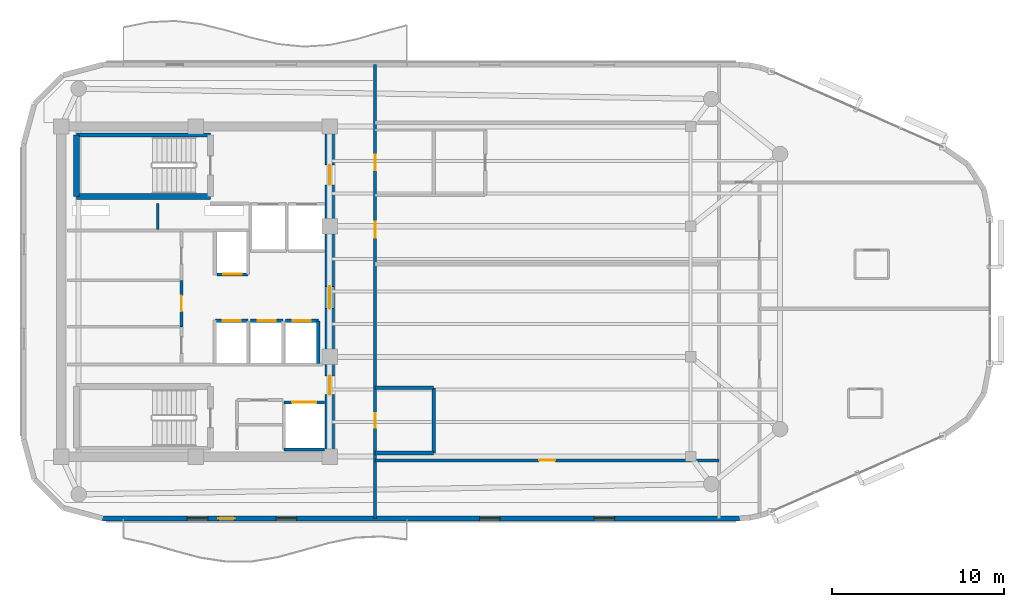
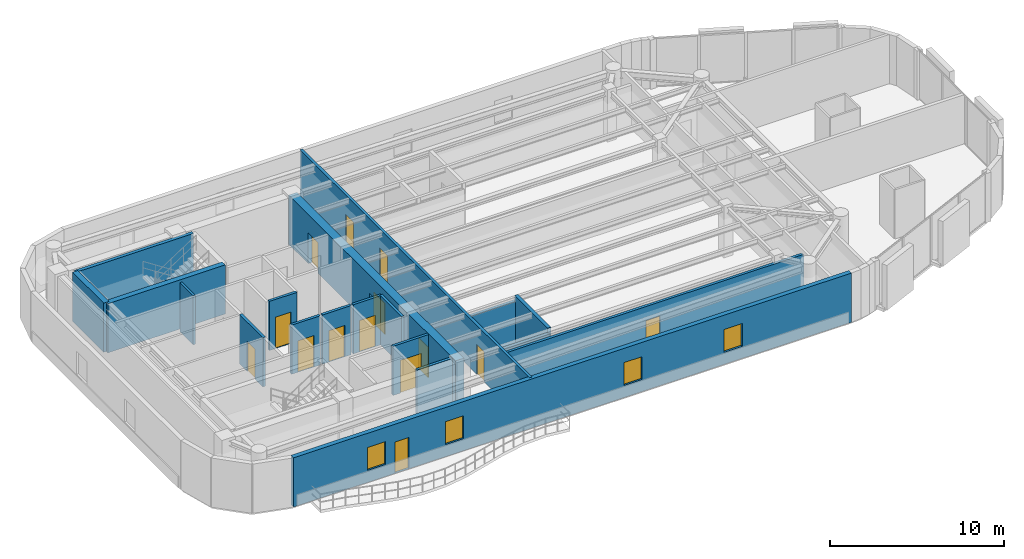
# One storey, part 8 of 12: 19 walls, 14 doors, 4 windows, 18 openings.
"""IFC4 building model written with IfcOpenShell, lengths in metres."""

from ifc_helpers import new_model, si_unit, direction, frame, frame_2d, origin, place, context, subcontext, project, spatial, rectangle, extrude, material, layer, layer_set, type_object, element, fill, save


model = new_model("IFC4")

# Units and contexts
model_context = context("Model", 3, precision=1e-05, world=origin(), true_north=direction((0.0, 1.0)))
body_context = subcontext(model_context, "Body", "Model", "MODEL_VIEW")
ifc_project = project(units=[si_unit("LENGTHUNIT", "METRE"), si_unit("AREAUNIT", "SQUARE_METRE"), si_unit("VOLUMEUNIT", "CUBIC_METRE"), si_unit("PLANEANGLEUNIT", "RADIAN"), si_unit("MASSUNIT", "GRAM", prefix="KILO")], contexts=[model_context])

# Site, building, storey
site_placement = place(None, origin())
site = spatial("IfcSite", under=ifc_project, at=site_placement, CompositionType="ELEMENT")
building_placement = place(site_placement, origin())
building = spatial("IfcBuilding", under=site, at=building_placement, Name="An Khanh Terracotta Commons", CompositionType="ELEMENT")
storey_placement = place(building_placement, frame((0.0, 0.0, 262.449951171875)))
storey = spatial("IfcBuildingStorey", under=building, at=storey_placement, Name="L68", CompositionType="ELEMENT", Elevation=262.449951171875)

# Wall, openings, doors
ifc_material_1 = material(Name="Concrete C50/60", Category="concrete")
ifc_layer_1 = layer(ifc_material_1, 0.550048828125, Name="Concrete C50/60")
ifc_layer_set_1 = layer_set([ifc_layer_1], Name="Concrete C50/60")
wall_type_1 = type_object("IfcWallType", Name="WALL-CORE-550", PredefinedType="SHEAR", material=ifc_layer_set_1)
wall_1_placement = place(storey_placement, frame((37.199951171875, 14.39990234375, 0.0), z_axis=(0.0, 0.0, 1.0), x_axis=(0.0, 1.0, 0.0)))
wall_1 = element("IfcWall", 1, at=wall_1_placement, inside=storey, type_object=wall_type_1, Name="L68 Core Wall CWALL-L68-E", PredefinedType="SHEAR", context=body_context, shape_type="SweptSolid", body=[
    extrude(rectangle(XDim=19.2001953125, YDim=0.550048828125, at=frame_2d((9.60009765625, 0.0))), origin(), (0.0, 0.0, 1.0), 3.449951171875),
])
opening_1_placement = place(wall_1_placement, frame((15.800048828125, 0.0, 0.0)))
opening_1 = element("IfcOpeningElement", 2, at=opening_1_placement, cuts=wall_1, Name="Opening D-FFL", PredefinedType="OPENING", context=body_context, shape_type="SweptSolid", body=[
    extrude(rectangle(XDim=1.14990234375, YDim=2.14990234375, at=frame_2d((0.574951171875, 1.074951171875))), frame((0.0, 0.284912109375, 0.0), z_axis=(0.0, -1.0, 0.0), x_axis=(1.0, 0.0, 0.0)), (0.0, 0.0, 1.0), 0.570068359375),
])
opening_2_placement = place(wall_1_placement, frame((3.60009765625, 0.0, 0.0)))
opening_2 = element("IfcOpeningElement", 3, at=opening_2_placement, cuts=wall_1, Name="Opening D-ST", PredefinedType="OPENING", context=body_context, shape_type="SweptSolid", body=[
    extrude(rectangle(XDim=1.10009765625, YDim=2.14990234375, at=frame_2d((0.550048828125, 1.074951171875))), frame((0.0, 0.284912109375, 0.0), z_axis=(0.0, -1.0, 0.0), x_axis=(1.0, 0.0, 0.0)), (0.0, 0.0, 1.0), 0.570068359375),
])
opening_3_placement = place(wall_1_placement, frame((8.60009765625, 0.0, 0.0)))
opening_3 = element("IfcOpeningElement", 4, at=opening_3_placement, cuts=wall_1, Name="Opening D-COR", PredefinedType="OPENING", context=body_context, shape_type="SweptSolid", body=[
    extrude(rectangle(XDim=1.300048828125, YDim=2.199951171875, at=frame_2d((0.64990234375, 1.10009765625))), frame((0.0, 0.284912109375, 0.0), z_axis=(0.0, -1.0, 0.0), x_axis=(1.0, 0.0, 0.0)), (0.0, 0.0, 1.0), 0.570068359375),
])
ifc_material_2 = material(Name="Fire-Rated Glazed Steel Double Door", Category="steel")
door_type_1 = type_object("IfcDoorType", Name="DOOR-CORR-1300", OperationType="NOTDEFINED", PredefinedType="DOOR", material=ifc_material_2)
door_1_placement = place(opening_3_placement, origin())
door_1 = element("IfcDoor", 5, at=door_1_placement, inside=storey, type_object=door_type_1, Name="L68 Passenger Lift Lobby Double Door", OperationType="DOUBLE_DOOR_SINGLE_SWING", OverallHeight=2.199951171875, OverallWidth=1.300048828125, PredefinedType="DOOR", context=body_context, shape_type="SweptSolid", body=[
    extrude(rectangle(XDim=1.300048828125, YDim=2.199951171875, at=frame_2d((0.64990234375, 1.10009765625))), frame((0.0, 0.02490234375, 0.0), z_axis=(0.0, -1.0, 0.0), x_axis=(1.0, 0.0, 0.0)), (0.0, 0.0, 1.0), 0.050048828125),
])
fill(opening_3, door_1)
ifc_material_3 = material(Name="Fire-Rated Steel Leaf and Vision Panel", Category="steel")
door_type_2 = type_object("IfcDoorType", Name="DOOR-FFL-1150", OperationType="NOTDEFINED", PredefinedType="DOOR", material=ifc_material_3)
door_2_placement = place(opening_1_placement, origin())
door_2 = element("IfcDoor", 6, at=door_2_placement, inside=storey, type_object=door_type_2, Name="L68 Firefighting Lift Lobby Fire Door", OperationType="SINGLE_SWING_LEFT", OverallHeight=2.14990234375, OverallWidth=1.14990234375, PredefinedType="DOOR", context=body_context, shape_type="SweptSolid", body=[
    extrude(rectangle(XDim=1.14990234375, YDim=2.14990234375, at=frame_2d((0.574951171875, 1.074951171875))), frame((0.0, 0.02490234375, 0.0), z_axis=(0.0, -1.0, 0.0), x_axis=(1.0, 0.0, 0.0)), (0.0, 0.0, 1.0), 0.050048828125),
])
fill(opening_1, door_2)
ifc_material_4 = material(Name="Fire-Rated Steel Leaf and Frame", Category="steel")
door_type_3 = type_object("IfcDoorType", Name="DOOR-STAIR-1100", OperationType="NOTDEFINED", PredefinedType="DOOR", material=ifc_material_4)
door_3_placement = place(opening_2_placement, origin())
door_3 = element("IfcDoor", 7, at=door_3_placement, inside=storey, type_object=door_type_3, Name="L68 South Stair Lobby Fire Door", OperationType="SINGLE_SWING_RIGHT", OverallHeight=2.14990234375, OverallWidth=1.10009765625, PredefinedType="DOOR", context=body_context, shape_type="SweptSolid", body=[
    extrude(rectangle(XDim=1.10009765625, YDim=2.14990234375, at=frame_2d((0.550048828125, 1.074951171875))), frame((0.0, 0.02490234375, 0.0), z_axis=(0.0, -1.0, 0.0), x_axis=(1.0, 0.0, 0.0)), (0.0, 0.0, 1.0), 0.050048828125),
])
fill(opening_2, door_3)

# Wall, opening, door
ifc_material_5 = material(Name="Fire-Rated Gypsum Board on Steel Stud", Category="steel")
ifc_layer_2 = layer(ifc_material_5, 0.179931640625, Name="Fire-Rated Gypsum Board on Steel Stud")
ifc_layer_set_2 = layer_set([ifc_layer_2], Name="Fire-Rated Gypsum Board on Steel Stud")
wall_type_2 = type_object("IfcWallType", Name="WALL-CORR-180", PredefinedType="PARTITIONING", material=ifc_layer_set_2)
wall_2_placement = place(storey_placement, frame((34.550048828125, 17.550048828125, 0.0), z_axis=(0.0, 0.0, 1.0), x_axis=(1.0, 0.0, 0.0)))
wall_2 = element("IfcWall", 8, at=wall_2_placement, inside=storey, type_object=wall_type_2, Name="L68 Core Wall LSH-L68-SVL-01-N", PredefinedType="PARTITIONING", context=body_context, shape_type="SweptSolid", body=[
    extrude(rectangle(XDim=2.349853515625, YDim=0.179931640625, at=frame_2d((1.1748046875, 0.0))), origin(), (0.0, 0.0, 1.0), 3.449951171875),
])
opening_4_placement = place(wall_2_placement, frame((0.47509765625, 0.0, 0.0)))
opening_4 = element("IfcOpeningElement", 9, at=opening_4_placement, cuts=wall_2, Name="Opening LD-SVL-01-L68", PredefinedType="OPENING", context=body_context, shape_type="SweptSolid", body=[
    extrude(rectangle(XDim=1.39990234375, YDim=2.300048828125, at=frame_2d((0.699951171875, 1.14990234375))), frame((0.0, 0.099853515625, 0.0), z_axis=(0.0, -1.0, 0.0), x_axis=(1.0, 0.0, 0.0)), (0.0, 0.0, 1.0), 0.199951171875),
])
ifc_material_6 = material(Name="Heavy-Duty Stainless Steel Goods Landing Door", Category="steel")
door_type_4 = type_object("IfcDoorType", Name="DOOR-LD-SVL-1400", OperationType="NOTDEFINED", PredefinedType="DOOR", material=ifc_material_6)
door_4_placement = place(opening_4_placement, origin())
door_4 = element("IfcDoor", 10, at=door_4_placement, inside=storey, type_object=door_type_4, Name="L68 Lift SVL-01 Sliding Landing Door", OperationType="DOUBLE_DOOR_SLIDING", OverallHeight=2.300048828125, OverallWidth=1.39990234375, PredefinedType="DOOR", context=body_context, shape_type="SweptSolid", body=[
    extrude(rectangle(XDim=1.39990234375, YDim=2.300048828125, at=frame_2d((0.699951171875, 1.14990234375))), frame((0.0, 0.02490234375, 0.0), z_axis=(0.0, -1.0, 0.0), x_axis=(1.0, 0.0, 0.0)), (0.0, 0.0, 1.0), 0.050048828125),
])
fill(opening_4, door_4)

# Wall
wall_3_placement = place(storey_placement, frame((36.89990234375, 14.800048828125, 0.0), z_axis=(0.0, 0.0, 1.0), x_axis=(-1.0, 0.0, 0.0)))
element("IfcWall", 11, at=wall_3_placement, inside=storey, type_object=wall_type_2, Name="L68 Core Wall LSH-L68-SVL-01-S", PredefinedType="PARTITIONING", context=body_context, shape_type="SweptSolid", body=[
    extrude(rectangle(XDim=2.349853515625, YDim=0.179931640625, at=frame_2d((1.1748046875, 0.0))), origin(), (0.0, 0.0, 1.0), 3.449951171875),
])

# Wall, opening, door
wall_4_placement = place(storey_placement, frame((32.4599609375, 25.0, 0.0), z_axis=(0.0, 0.0, 1.0), x_axis=(-1.0, 0.0, 0.0)))
wall_4 = element("IfcWall", 12, at=wall_4_placement, inside=storey, type_object=wall_type_2, Name="L68 Core Wall LSH-L68-PL-H1-S", PredefinedType="PARTITIONING", context=body_context, shape_type="SweptSolid", body=[
    extrude(rectangle(XDim=1.820068359375, YDim=0.179931640625, at=frame_2d((0.91015625, 0.0))), origin(), (0.0, 0.0, 1.0), 3.449951171875),
])
opening_5_placement = place(wall_4_placement, frame((0.385009765625, 0.0, 0.0)))
opening_5 = element("IfcOpeningElement", 13, at=opening_5_placement, cuts=wall_4, Name="Opening LD-PL-H1-L68", PredefinedType="OPENING", context=body_context, shape_type="SweptSolid", body=[
    extrude(rectangle(XDim=1.050048828125, YDim=2.199951171875, at=frame_2d((0.52490234375, 1.10009765625))), frame((0.0, 0.099853515625, 0.0), z_axis=(0.0, -1.0, 0.0), x_axis=(1.0, 0.0, 0.0)), (0.0, 0.0, 1.0), 0.199951171875),
])
ifc_material_7 = material(Name="Brushed Stainless Steel High-Rise Landing Door", Category="steel")
door_type_5 = type_object("IfcDoorType", Name="DOOR-LD-PAXH-1050", OperationType="NOTDEFINED", PredefinedType="DOOR", material=ifc_material_7)
door_5_placement = place(opening_5_placement, origin())
door_5 = element("IfcDoor", 14, at=door_5_placement, inside=storey, type_object=door_type_5, Name="L68 Lift PL-H1 Sliding Landing Door", OperationType="DOUBLE_DOOR_SLIDING", OverallHeight=2.199951171875, OverallWidth=1.050048828125, PredefinedType="DOOR", context=body_context, shape_type="SweptSolid", body=[
    extrude(rectangle(XDim=1.050048828125, YDim=2.199951171875, at=frame_2d((0.52490234375, 1.10009765625))), frame((0.0, 0.02490234375, 0.0), z_axis=(0.0, -1.0, 0.0), x_axis=(1.0, 0.0, 0.0)), (0.0, 0.0, 1.0), 0.050048828125),
])
fill(opening_5, door_5)

wall_5_placement = place(storey_placement, frame((30.56005859375, 22.300048828125, 0.0), z_axis=(0.0, 0.0, 1.0), x_axis=(1.0, 0.0, 0.0)))
wall_5 = element("IfcWall", 15, at=wall_5_placement, inside=storey, type_object=wall_type_2, Name="L68 Core Wall LSH-L68-PL-H2-N", PredefinedType="PARTITIONING", context=body_context, shape_type="SweptSolid", body=[
    extrude(rectangle(XDim=1.89990234375, YDim=0.179931640625, at=frame_2d((0.949951171875, 0.0))), origin(), (0.0, 0.0, 1.0), 3.449951171875),
])
opening_6_placement = place(wall_5_placement, frame((0.425048828125, 0.0, 0.0)))
opening_6 = element("IfcOpeningElement", 16, at=opening_6_placement, cuts=wall_5, Name="Opening LD-PL-H2-L68", PredefinedType="OPENING", context=body_context, shape_type="SweptSolid", body=[
    extrude(rectangle(XDim=1.050048828125, YDim=2.199951171875, at=frame_2d((0.52490234375, 1.10009765625))), frame((0.0, 0.099853515625, 0.0), z_axis=(0.0, -1.0, 0.0), x_axis=(1.0, 0.0, 0.0)), (0.0, 0.0, 1.0), 0.199951171875),
])
door_6_placement = place(opening_6_placement, origin())
door_6 = element("IfcDoor", 17, at=door_6_placement, inside=storey, type_object=door_type_5, Name="L68 Lift PL-H2 Sliding Landing Door", OperationType="DOUBLE_DOOR_SLIDING", OverallHeight=2.199951171875, OverallWidth=1.050048828125, PredefinedType="DOOR", context=body_context, shape_type="SweptSolid", body=[
    extrude(rectangle(XDim=1.050048828125, YDim=2.199951171875, at=frame_2d((0.52490234375, 1.10009765625))), frame((0.0, 0.02490234375, 0.0), z_axis=(0.0, -1.0, 0.0), x_axis=(1.0, 0.0, 0.0)), (0.0, 0.0, 1.0), 0.050048828125),
])
fill(opening_6, door_6)

wall_6_placement = place(storey_placement, frame((32.60009765625, 22.300048828125, 0.0), z_axis=(0.0, 0.0, 1.0), x_axis=(1.0, 0.0, 0.0)))
wall_6 = element("IfcWall", 18, at=wall_6_placement, inside=storey, type_object=wall_type_2, Name="L68 Core Wall LSH-L68-PL-H3-N", PredefinedType="PARTITIONING", context=body_context, shape_type="SweptSolid", body=[
    extrude(rectangle(XDim=1.89990234375, YDim=0.179931640625, at=frame_2d((0.949951171875, 0.0))), origin(), (0.0, 0.0, 1.0), 3.449951171875),
])
opening_7_placement = place(wall_6_placement, frame((0.425048828125, 0.0, 0.0)))
opening_7 = element("IfcOpeningElement", 19, at=opening_7_placement, cuts=wall_6, Name="Opening LD-PL-H3-L68", PredefinedType="OPENING", context=body_context, shape_type="SweptSolid", body=[
    extrude(rectangle(XDim=1.050048828125, YDim=2.199951171875, at=frame_2d((0.52490234375, 1.10009765625))), frame((0.0, 0.099853515625, 0.0), z_axis=(0.0, -1.0, 0.0), x_axis=(1.0, 0.0, 0.0)), (0.0, 0.0, 1.0), 0.199951171875),
])
door_7_placement = place(opening_7_placement, origin())
door_7 = element("IfcDoor", 20, at=door_7_placement, inside=storey, type_object=door_type_5, Name="L68 Lift PL-H3 Sliding Landing Door", OperationType="DOUBLE_DOOR_SLIDING", OverallHeight=2.199951171875, OverallWidth=1.050048828125, PredefinedType="DOOR", context=body_context, shape_type="SweptSolid", body=[
    extrude(rectangle(XDim=1.050048828125, YDim=2.199951171875, at=frame_2d((0.52490234375, 1.10009765625))), frame((0.0, 0.02490234375, 0.0), z_axis=(0.0, -1.0, 0.0), x_axis=(1.0, 0.0, 0.0)), (0.0, 0.0, 1.0), 0.050048828125),
])
fill(opening_7, door_7)

wall_7_placement = place(storey_placement, frame((34.639892578125, 22.300048828125, 0.0), z_axis=(0.0, 0.0, 1.0), x_axis=(1.0, 0.0, 0.0)))
wall_7 = element("IfcWall", 21, at=wall_7_placement, inside=storey, type_object=wall_type_2, Name="L68 Core Wall LSH-L68-PL-H4-N", PredefinedType="PARTITIONING", context=body_context, shape_type="SweptSolid", body=[
    extrude(rectangle(XDim=1.900146484375, YDim=0.179931640625, at=frame_2d((0.9501953125, 0.0))), origin(), (0.0, 0.0, 1.0), 3.449951171875),
])
opening_8_placement = place(wall_7_placement, frame((0.425048828125, 0.0, 0.0)))
opening_8 = element("IfcOpeningElement", 22, at=opening_8_placement, cuts=wall_7, Name="Opening LD-PL-H4-L68", PredefinedType="OPENING", context=body_context, shape_type="SweptSolid", body=[
    extrude(rectangle(XDim=1.050048828125, YDim=2.199951171875, at=frame_2d((0.52490234375, 1.10009765625))), frame((0.0, 0.099853515625, 0.0), z_axis=(0.0, -1.0, 0.0), x_axis=(1.0, 0.0, 0.0)), (0.0, 0.0, 1.0), 0.199951171875),
])
door_8_placement = place(opening_8_placement, origin())
door_8 = element("IfcDoor", 23, at=door_8_placement, inside=storey, type_object=door_type_5, Name="L68 Lift PL-H4 Sliding Landing Door", OperationType="DOUBLE_DOOR_SLIDING", OverallHeight=2.199951171875, OverallWidth=1.050048828125, PredefinedType="DOOR", context=body_context, shape_type="SweptSolid", body=[
    extrude(rectangle(XDim=1.050048828125, YDim=2.199951171875, at=frame_2d((0.52490234375, 1.10009765625))), frame((0.0, 0.02490234375, 0.0), z_axis=(0.0, -1.0, 0.0), x_axis=(1.0, 0.0, 0.0)), (0.0, 0.0, 1.0), 0.050048828125),
])
fill(opening_8, door_8)

# Wall
wall_8_placement = place(storey_placement, frame((36.5400390625, 19.800048828125, 0.0), z_axis=(0.0, 0.0, 1.0), x_axis=(0.0, 1.0, 0.0)))
element("IfcWall", 24, at=wall_8_placement, inside=storey, type_object=wall_type_2, Name="L68 Core Wall LSH-L68-PL-H4-E", PredefinedType="PARTITIONING", context=body_context, shape_type="SweptSolid", body=[
    extrude(rectangle(XDim=2.5, YDim=0.179931640625, at=frame_2d((1.25, 0.0))), origin(), (0.0, 0.0, 1.0), 3.449951171875),
])

# Wall, opening, door
wall_9_placement = place(storey_placement, frame((28.580078125, 21.949951171875, 0.0), z_axis=(0.0, 0.0, 1.0), x_axis=(0.0, 1.0, 0.0)))
wall_9 = element("IfcWall", 25, at=wall_9_placement, inside=storey, type_object=wall_type_2, Name="L68 Core Wall RECW-L68-E2", PredefinedType="PARTITIONING", context=body_context, shape_type="SweptSolid", body=[
    extrude(rectangle(XDim=2.699951171875, YDim=0.179931640625, at=frame_2d((1.35009765625, 0.0))), origin(), (0.0, 0.0, 1.0), 3.449951171875),
])
opening_9_placement = place(wall_9_placement, frame((0.889892578125, 0.0, 0.0)))
opening_9 = element("IfcOpeningElement", 26, at=opening_9_placement, cuts=wall_9, Name="Opening D-RM", PredefinedType="OPENING", context=body_context, shape_type="SweptSolid", body=[
    extrude(rectangle(XDim=0.919921875, YDim=2.10009765625, at=frame_2d((0.4599609375, 1.050048828125))), frame((0.0, 0.099853515625, 0.0), z_axis=(0.0, -1.0, 0.0), x_axis=(1.0, 0.0, 0.0)), (0.0, 0.0, 1.0), 0.199951171875),
])
ifc_material_8 = material(Name="Engineered Hardwood Timber Leaf", Category="wood")
door_type_6 = type_object("IfcDoorType", Name="DOOR-INT-920", OperationType="NOTDEFINED", PredefinedType="DOOR", material=ifc_material_8)
door_9_placement = place(opening_9_placement, origin())
door_9 = element("IfcDoor", 27, at=door_9_placement, inside=storey, type_object=door_type_6, Name="L68 Floor Pantry and Tea Room Door", OperationType="SINGLE_SWING_RIGHT", OverallHeight=2.10009765625, OverallWidth=0.919921875, PredefinedType="DOOR", context=body_context, shape_type="SweptSolid", body=[
    extrude(rectangle(XDim=0.919921875, YDim=2.10009765625, at=frame_2d((0.4599609375, 1.050048828125))), frame((0.0, 0.02490234375, 0.0), z_axis=(0.0, -1.0, 0.0), x_axis=(1.0, 0.0, 0.0)), (0.0, 0.0, 1.0), 0.050048828125),
])
fill(opening_9, door_9)

wall_10_placement = place(storey_placement, frame((39.85009765625, 14.179931640625, 0.0), z_axis=(0.0, 0.0, 1.0), x_axis=(1.0, 0.0, 0.0)))
wall_10 = element("IfcWall", 28, at=wall_10_placement, inside=storey, type_object=wall_type_2, Name="L68 Interior Partition IW-L68-E001", PredefinedType="PARTITIONING", context=body_context, shape_type="SweptSolid", body=[
    extrude(rectangle(XDim=20.0, YDim=0.179931640625, at=frame_2d((10.0, 0.0))), origin(), (0.0, 0.0, 1.0), 3.092041015625),
])
opening_10_placement = place(wall_10_placement, frame((9.5400390625, 0.0, 0.0)))
opening_10 = element("IfcOpeningElement", 29, at=opening_10_placement, cuts=wall_10, Name="Opening D-RM", PredefinedType="OPENING", context=body_context, shape_type="SweptSolid", body=[
    extrude(rectangle(XDim=0.919921875, YDim=2.10009765625, at=frame_2d((0.4599609375, 1.050048828125))), frame((0.0, 0.099853515625, 0.0), z_axis=(0.0, -1.0, 0.0), x_axis=(1.0, 0.0, 0.0)), (0.0, 0.0, 1.0), 0.199951171875),
])
door_10_placement = place(opening_10_placement, origin())
door_10 = element("IfcDoor", 30, at=door_10_placement, inside=storey, type_object=door_type_6, Name="L68 WSP1 Riverfront Reading Hall Door", OperationType="SINGLE_SWING_RIGHT", OverallHeight=2.10009765625, OverallWidth=0.919921875, PredefinedType="DOOR", context=body_context, shape_type="SweptSolid", body=[
    extrude(rectangle(XDim=0.919921875, YDim=2.10009765625, at=frame_2d((0.4599609375, 1.050048828125))), frame((0.0, 0.02490234375, 0.0), z_axis=(0.0, -1.0, 0.0), x_axis=(1.0, 0.0, 0.0)), (0.0, 0.0, 1.0), 0.050048828125),
])
fill(opening_10, door_10)

# Wall, openings, doors
wall_11_placement = place(storey_placement, frame((39.85009765625, 10.800048828125, 0.0), z_axis=(0.0, 0.0, 1.0), x_axis=(0.0, 1.0, 0.0)))
wall_11 = element("IfcWall", 31, at=wall_11_placement, inside=storey, type_object=wall_type_2, Name="L68 Interior Partition IW-L68-E010", PredefinedType="PARTITIONING", context=body_context, shape_type="SweptSolid", body=[
    extrude(rectangle(XDim=26.39990234375, YDim=0.179931640625, at=frame_2d((13.199951171875, 0.0))), origin(), (0.0, 0.0, 1.0), 3.449951171875),
])
opening_11_placement = place(wall_11_placement, frame((20.25, 0.0, 0.0)))
opening_11 = element("IfcOpeningElement", 32, at=opening_11_placement, cuts=wall_11, Name="Opening D-WC", PredefinedType="OPENING", context=body_context, shape_type="SweptSolid", body=[
    extrude(rectangle(XDim=0.89990234375, YDim=2.10009765625, at=frame_2d((0.449951171875, 1.050048828125))), frame((0.0, 0.099853515625, 0.0), z_axis=(0.0, -1.0, 0.0), x_axis=(1.0, 0.0, 0.0)), (0.0, 0.0, 1.0), 0.199951171875),
])
opening_12_placement = place(wall_11_placement, frame((5.27001953125, 0.0, 0.0)))
opening_12 = element("IfcOpeningElement", 33, at=opening_12_placement, cuts=wall_11, Name="Opening D-ENS", PredefinedType="OPENING", context=body_context, shape_type="SweptSolid", body=[
    extrude(rectangle(XDim=0.860107421875, YDim=2.10009765625, at=frame_2d((0.43017578125, 1.050048828125))), frame((0.0, 0.099853515625, 0.0), z_axis=(0.0, -1.0, 0.0), x_axis=(1.0, 0.0, 0.0)), (0.0, 0.0, 1.0), 0.199951171875),
])
opening_13_placement = place(wall_11_placement, frame((16.340087890625, 0.0, 0.0)))
opening_13 = element("IfcOpeningElement", 34, at=opening_13_placement, cuts=wall_11, Name="Opening D-RM", PredefinedType="OPENING", context=body_context, shape_type="SweptSolid", body=[
    extrude(rectangle(XDim=0.919921875, YDim=2.10009765625, at=frame_2d((0.4599609375, 1.050048828125))), frame((0.0, 0.099853515625, 0.0), z_axis=(0.0, -1.0, 0.0), x_axis=(1.0, 0.0, 0.0)), (0.0, 0.0, 1.0), 0.199951171875),
])
ifc_material_9 = material(Name="Moisture-Resistant Hardwood Timber Leaf", Category="wood")
door_type_7 = type_object("IfcDoorType", Name="DOOR-BATH-860", OperationType="NOTDEFINED", PredefinedType="DOOR", material=ifc_material_9)
door_11_placement = place(opening_12_placement, origin())
door_11 = element("IfcDoor", 35, at=door_11_placement, inside=storey, type_object=door_type_7, Name="L68 SHW Resident Shared Shower and Washroom Door", OperationType="SINGLE_SWING_LEFT", OverallHeight=2.10009765625, OverallWidth=0.860107421875, PredefinedType="DOOR", context=body_context, shape_type="SweptSolid", body=[
    extrude(rectangle(XDim=0.860107421875, YDim=2.10009765625, at=frame_2d((0.43017578125, 1.050048828125))), frame((0.0, 0.02490234375, 0.0), z_axis=(0.0, -1.0, 0.0), x_axis=(1.0, 0.0, 0.0)), (0.0, 0.0, 1.0), 0.050048828125),
])
fill(opening_12, door_11)
door_12_placement = place(opening_13_placement, origin())
door_12 = element("IfcDoor", 36, at=door_12_placement, inside=storey, type_object=door_type_6, Name="L68 WSP2 Academic Seminar Room Door", OperationType="SINGLE_SWING_LEFT", OverallHeight=2.10009765625, OverallWidth=0.919921875, PredefinedType="DOOR", context=body_context, shape_type="SweptSolid", body=[
    extrude(rectangle(XDim=0.919921875, YDim=2.10009765625, at=frame_2d((0.4599609375, 1.050048828125))), frame((0.0, 0.02490234375, 0.0), z_axis=(0.0, -1.0, 0.0), x_axis=(1.0, 0.0, 0.0)), (0.0, 0.0, 1.0), 0.050048828125),
])
fill(opening_13, door_12)
ifc_material_10 = material(Name="Laminate Moisture-Resistant Timber Leaf", Category="wood")
door_type_8 = type_object("IfcDoorType", Name="DOOR-WC-900", OperationType="NOTDEFINED", PredefinedType="DOOR", material=ifc_material_10)
door_13_placement = place(opening_11_placement, origin())
door_13 = element("IfcDoor", 37, at=door_13_placement, inside=storey, type_object=door_type_8, Name="L68 AWC Accessible WC Door", OperationType="SINGLE_SWING_RIGHT", OverallHeight=2.10009765625, OverallWidth=0.89990234375, PredefinedType="DOOR", context=body_context, shape_type="SweptSolid", body=[
    extrude(rectangle(XDim=0.89990234375, YDim=2.10009765625, at=frame_2d((0.449951171875, 1.050048828125))), frame((0.0, 0.02490234375, 0.0), z_axis=(0.0, -1.0, 0.0), x_axis=(1.0, 0.0, 0.0)), (0.0, 0.0, 1.0), 0.050048828125),
])
fill(opening_11, door_13)

# Wall, openings, door, windows
ifc_material_11 = material(Name="Precast concrete C40/50", Category="concrete")
ifc_layer_3 = layer(ifc_material_11, 0.300048828125, Name="Precast concrete C40/50")
ifc_layer_set_3 = layer_set([ifc_layer_3], Name="Precast concrete C40/50")
wall_type_3 = type_object("IfcWallType", Name="WALL-EXT-300", PredefinedType="SOLIDWALL", material=ifc_layer_set_3)
wall_12_placement = place(storey_placement, frame((24.0, 10.800048828125, 0.0), z_axis=(0.0, 0.0, 1.0), x_axis=(1.0, 0.0, 0.0)))
wall_12 = element("IfcWall", 38, at=wall_12_placement, inside=storey, type_object=wall_type_3, Name="L68 Insulated Terracotta Exterior Wall 4", PredefinedType="SOLIDWALL", context=body_context, shape_type="SweptSolid", body=[
    extrude(rectangle(XDim=37.030029296875, YDim=0.300048828125, at=frame_2d((18.51513671875, 0.0))), origin(), (0.0, 0.0, 1.0), 3.449951171875),
])
opening_14_placement = place(wall_12_placement, frame((6.72509765625, 0.0, 0.0)))
opening_14 = element("IfcOpeningElement", 39, at=opening_14_placement, cuts=wall_12, Name="Opening D-BAL", PredefinedType="OPENING", context=body_context, shape_type="SweptSolid", body=[
    extrude(rectangle(XDim=0.949951171875, YDim=2.199951171875, at=frame_2d((0.47509765625, 1.10009765625))), frame((0.0, 0.159912109375, 0.0), z_axis=(0.0, -1.0, 0.0), x_axis=(1.0, 0.0, 0.0)), (0.0, 0.0, 1.0), 0.320068359375),
])
opening_15_placement = place(wall_12_placement, frame((4.9169921875, 0.0, 0.85009765625)))
opening_15 = element("IfcOpeningElement", 40, at=opening_15_placement, cuts=wall_12, Name="Opening W-05", PredefinedType="OPENING", context=body_context, shape_type="SweptSolid", body=[
    extrude(rectangle(XDim=1.199951171875, YDim=1.60009765625, at=frame_2d((0.60009765625, 0.800048828125))), frame((0.0, 0.159912109375, 0.0), z_axis=(0.0, -1.0, 0.0), x_axis=(1.0, 0.0, 0.0)), (0.0, 0.0, 1.0), 0.320068359375),
])
opening_16_placement = place(wall_12_placement, frame((10.0830078125, 0.0, 0.85009765625)))
opening_16 = element("IfcOpeningElement", 41, at=opening_16_placement, cuts=wall_12, Name="Opening W-05", PredefinedType="OPENING", context=body_context, shape_type="SweptSolid", body=[
    extrude(rectangle(XDim=1.199951171875, YDim=1.60009765625, at=frame_2d((0.60009765625, 0.800048828125))), frame((0.0, 0.159912109375, 0.0), z_axis=(0.0, -1.0, 0.0), x_axis=(1.0, 0.0, 0.0)), (0.0, 0.0, 1.0), 0.320068359375),
])
opening_17_placement = place(wall_12_placement, frame((21.9169921875, 0.0, 0.85009765625)))
opening_17 = element("IfcOpeningElement", 42, at=opening_17_placement, cuts=wall_12, Name="Opening W-05", PredefinedType="OPENING", context=body_context, shape_type="SweptSolid", body=[
    extrude(rectangle(XDim=1.199951171875, YDim=1.60009765625, at=frame_2d((0.60009765625, 0.800048828125))), frame((0.0, 0.159912109375, 0.0), z_axis=(0.0, -1.0, 0.0), x_axis=(1.0, 0.0, 0.0)), (0.0, 0.0, 1.0), 0.320068359375),
])
opening_18_placement = place(wall_12_placement, frame((28.5830078125, 0.0, 0.85009765625)))
opening_18 = element("IfcOpeningElement", 43, at=opening_18_placement, cuts=wall_12, Name="Opening W-05", PredefinedType="OPENING", context=body_context, shape_type="SweptSolid", body=[
    extrude(rectangle(XDim=1.199951171875, YDim=1.60009765625, at=frame_2d((0.60009765625, 0.800048828125))), frame((0.0, 0.159912109375, 0.0), z_axis=(0.0, -1.0, 0.0), x_axis=(1.0, 0.0, 0.0)), (0.0, 0.0, 1.0), 0.320068359375),
])
ifc_material_12 = material(Name="Thermally Broken Aluminium and Low-E Glass", Category="aluminium")
door_type_9 = type_object("IfcDoorType", Name="DOOR-BALC-950", OperationType="NOTDEFINED", PredefinedType="DOOR", material=ifc_material_12)
door_14_placement = place(opening_14_placement, origin())
door_14 = element("IfcDoor", 44, at=door_14_placement, inside=storey, type_object=door_type_9, Name="L68 S Wave Balcony Glazed Door", OperationType="SINGLE_SWING_LEFT", OverallHeight=2.199951171875, OverallWidth=0.949951171875, PredefinedType="DOOR", context=body_context, shape_type="SweptSolid", body=[
    extrude(rectangle(XDim=0.949951171875, YDim=2.199951171875, at=frame_2d((0.47509765625, 1.10009765625))), frame((0.0, 0.02490234375, 0.0), z_axis=(0.0, -1.0, 0.0), x_axis=(1.0, 0.0, 0.0)), (0.0, 0.0, 1.0), 0.050048828125),
])
fill(opening_14, door_14)
window_type = type_object("IfcWindowType", Name="WIN-Z5-1200x1600", PartitioningType="SINGLE_PANEL", PredefinedType="WINDOW", material=ifc_material_12)
window_1_placement = place(opening_15_placement, origin())
window_1 = element("IfcWindow", 45, at=window_1_placement, inside=storey, type_object=window_type, Name="L68 Operable Casement Window 4.1", OverallHeight=1.60009765625, OverallWidth=1.199951171875, PartitioningType="SINGLE_PANEL", PredefinedType="WINDOW", context=body_context, shape_type="SweptSolid", body=[
    extrude(rectangle(XDim=1.199951171875, YDim=1.60009765625, at=frame_2d((0.60009765625, 0.800048828125))), frame((0.0, 0.030029296875, 0.0), z_axis=(0.0, -1.0, 0.0), x_axis=(1.0, 0.0, 0.0)), (0.0, 0.0, 1.0), 0.06005859375),
])
fill(opening_15, window_1)
window_2_placement = place(opening_16_placement, origin())
window_2 = element("IfcWindow", 46, at=window_2_placement, inside=storey, type_object=window_type, Name="L68 Operable Casement Window 4.2", OverallHeight=1.60009765625, OverallWidth=1.199951171875, PartitioningType="SINGLE_PANEL", PredefinedType="WINDOW", context=body_context, shape_type="SweptSolid", body=[
    extrude(rectangle(XDim=1.199951171875, YDim=1.60009765625, at=frame_2d((0.60009765625, 0.800048828125))), frame((0.0, 0.030029296875, 0.0), z_axis=(0.0, -1.0, 0.0), x_axis=(1.0, 0.0, 0.0)), (0.0, 0.0, 1.0), 0.06005859375),
])
fill(opening_16, window_2)
window_3_placement = place(opening_17_placement, origin())
window_3 = element("IfcWindow", 47, at=window_3_placement, inside=storey, type_object=window_type, Name="L68 Operable Casement Window 4.3", OverallHeight=1.60009765625, OverallWidth=1.199951171875, PartitioningType="SINGLE_PANEL", PredefinedType="WINDOW", context=body_context, shape_type="SweptSolid", body=[
    extrude(rectangle(XDim=1.199951171875, YDim=1.60009765625, at=frame_2d((0.60009765625, 0.800048828125))), frame((0.0, 0.030029296875, 0.0), z_axis=(0.0, -1.0, 0.0), x_axis=(1.0, 0.0, 0.0)), (0.0, 0.0, 1.0), 0.06005859375),
])
fill(opening_17, window_3)
window_4_placement = place(opening_18_placement, origin())
window_4 = element("IfcWindow", 48, at=window_4_placement, inside=storey, type_object=window_type, Name="L68 Operable Casement Window 4.4", OverallHeight=1.60009765625, OverallWidth=1.199951171875, PartitioningType="SINGLE_PANEL", PredefinedType="WINDOW", context=body_context, shape_type="SweptSolid", body=[
    extrude(rectangle(XDim=1.199951171875, YDim=1.60009765625, at=frame_2d((0.60009765625, 0.800048828125))), frame((0.0, 0.030029296875, 0.0), z_axis=(0.0, -1.0, 0.0), x_axis=(1.0, 0.0, 0.0)), (0.0, 0.0, 1.0), 0.06005859375),
])
fill(opening_18, window_4)

# Walls
ifc_material_13 = material(Name="Acoustic Gypsum Board Partition")
ifc_layer_4 = layer(ifc_material_13, 0.14990234375, Name="Acoustic Gypsum Board Partition")
ifc_layer_set_4 = layer_set([ifc_layer_4], Name="Acoustic Gypsum Board Partition")
wall_type_4 = type_object("IfcWallType", Name="WALL-PART-150", PredefinedType="PARTITIONING", material=ifc_layer_set_4)
wall_13_placement = place(storey_placement, frame((27.199951171875, 27.60009765625, 0.0), z_axis=(0.0, 0.0, 1.0), x_axis=(0.0, 1.0, 0.0)))
element("IfcWall", 49, at=wall_13_placement, inside=storey, type_object=wall_type_4, Name="L68 Core Wall RSRW-L68-D1", PredefinedType="PARTITIONING", context=body_context, shape_type="SweptSolid", body=[
    extrude(rectangle(XDim=1.52001953125, YDim=0.14990234375, at=frame_2d((0.760009765625, 0.0))), origin(), (0.0, 0.0, 1.0), 3.449951171875),
])
ifc_material_14 = material(Name="Acoustic Double-Stud Gypsum and Mineral Wool")
ifc_layer_5 = layer(ifc_material_14, 0.219970703125, Name="Acoustic Double-Stud Gypsum and Mineral Wool")
ifc_layer_set_5 = layer_set([ifc_layer_5], Name="Acoustic Double-Stud Gypsum and Mineral Wool")
wall_type_5 = type_object("IfcWallType", Name="WALL-PARTY-220", PredefinedType="PARTITIONING", material=ifc_layer_set_5)
wall_14_placement = place(storey_placement, frame((22.47998046875, 33.110107421875, 0.0), z_axis=(0.0, 0.0, 1.0), x_axis=(1.0, 0.0, 0.0)))
element("IfcWall", 50, at=wall_14_placement, inside=storey, type_object=wall_type_5, Name="L68 Core Wall STW-L68-N-N", PredefinedType="PARTITIONING", context=body_context, shape_type="SweptSolid", body=[
    extrude(rectangle(XDim=7.7900390625, YDim=0.219970703125, at=frame_2d((3.89501953125, 0.0))), origin(), (0.0, 0.0, 1.0), 3.449951171875),
])
wall_15_placement = place(storey_placement, frame((39.85009765625, 14.60009765625, 0.0), z_axis=(0.0, 0.0, 1.0), x_axis=(1.0, 0.0, 0.0)))
element("IfcWall", 51, at=wall_15_placement, inside=storey, type_object=wall_type_5, Name="L68 Interior Partition IW-L68-E002", PredefinedType="PARTITIONING", context=body_context, shape_type="SweptSolid", body=[
    extrude(rectangle(XDim=3.39990234375, YDim=0.219970703125, at=frame_2d((1.699951171875, 0.0))), origin(), (0.0, 0.0, 1.0), 3.092041015625),
])
wall_16_placement = place(storey_placement, frame((39.85009765625, 18.39990234375, 0.0), z_axis=(0.0, 0.0, 1.0), x_axis=(1.0, 0.0, 0.0)))
element("IfcWall", 52, at=wall_16_placement, inside=storey, type_object=wall_type_5, Name="L68 Interior Partition IW-L68-E003", PredefinedType="PARTITIONING", context=body_context, shape_type="SweptSolid", body=[
    extrude(rectangle(XDim=3.39990234375, YDim=0.219970703125, at=frame_2d((1.699951171875, 0.0))), origin(), (0.0, 0.0, 1.0), 3.072021484375),
])
wall_17_placement = place(storey_placement, frame((43.25, 14.60009765625, 0.0), z_axis=(0.0, 0.0, 1.0), x_axis=(0.0, 1.0, 0.0)))
element("IfcWall", 53, at=wall_17_placement, inside=storey, type_object=wall_type_5, Name="L68 Interior Partition IW-L68-E011", PredefinedType="PARTITIONING", context=body_context, shape_type="SweptSolid", body=[
    extrude(rectangle(XDim=3.7998046875, YDim=0.219970703125, at=frame_2d((1.89990234375, 0.0))), origin(), (0.0, 0.0, 1.0), 3.449951171875),
])
ifc_layer_6 = layer(ifc_material_1, 0.35009765625, Name="Concrete C50/60")
ifc_layer_set_6 = layer_set([ifc_layer_6], Name="Concrete C50/60")
wall_type_6 = type_object("IfcWallType", Name="WALL-SHAFT-350", PredefinedType="SOLIDWALL", material=ifc_layer_set_6)
wall_18_placement = place(storey_placement, frame((22.47998046875, 29.530029296875, 0.0), z_axis=(0.0, 0.0, 1.0), x_axis=(1.0, 0.0, 0.0)))
element("IfcWall", 54, at=wall_18_placement, inside=storey, type_object=wall_type_6, Name="L68 Core Wall STW-L68-N-S", PredefinedType="SOLIDWALL", context=body_context, shape_type="SweptSolid", body=[
    extrude(rectangle(XDim=7.7900390625, YDim=0.35009765625, at=frame_2d((3.89501953125, 0.0))), origin(), (0.0, 0.0, 1.0), 3.449951171875),
])
wall_19_placement = place(storey_placement, frame((22.47998046875, 29.530029296875, 0.0), z_axis=(0.0, 0.0, 1.0), x_axis=(0.0, 1.0, 0.0)))
element("IfcWall", 55, at=wall_19_placement, inside=storey, type_object=wall_type_6, Name="L68 Core Wall STW-L68-N-W", PredefinedType="SOLIDWALL", context=body_context, shape_type="SweptSolid", body=[
    extrude(rectangle(XDim=3.580078125, YDim=0.35009765625, at=frame_2d((1.7900390625, 0.0))), origin(), (0.0, 0.0, 1.0), 3.449951171875),
])

save(model, "model.ifc")
